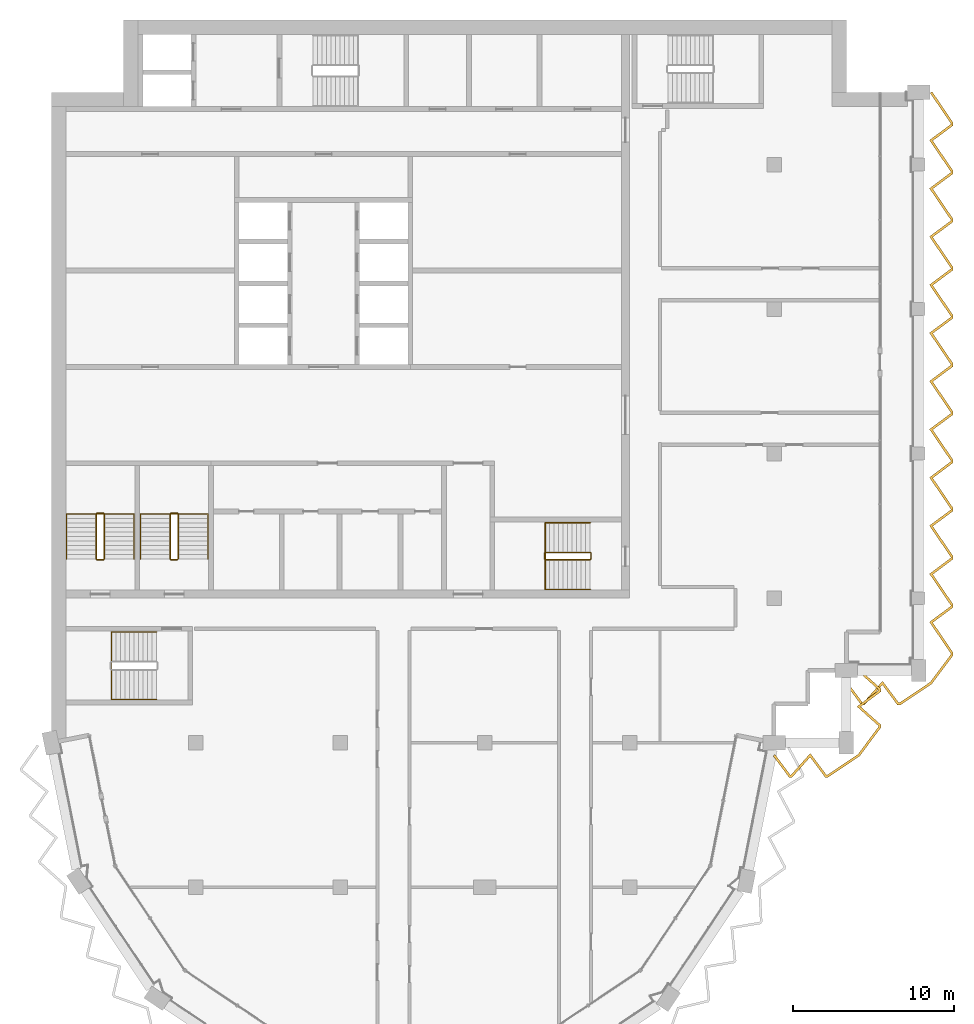
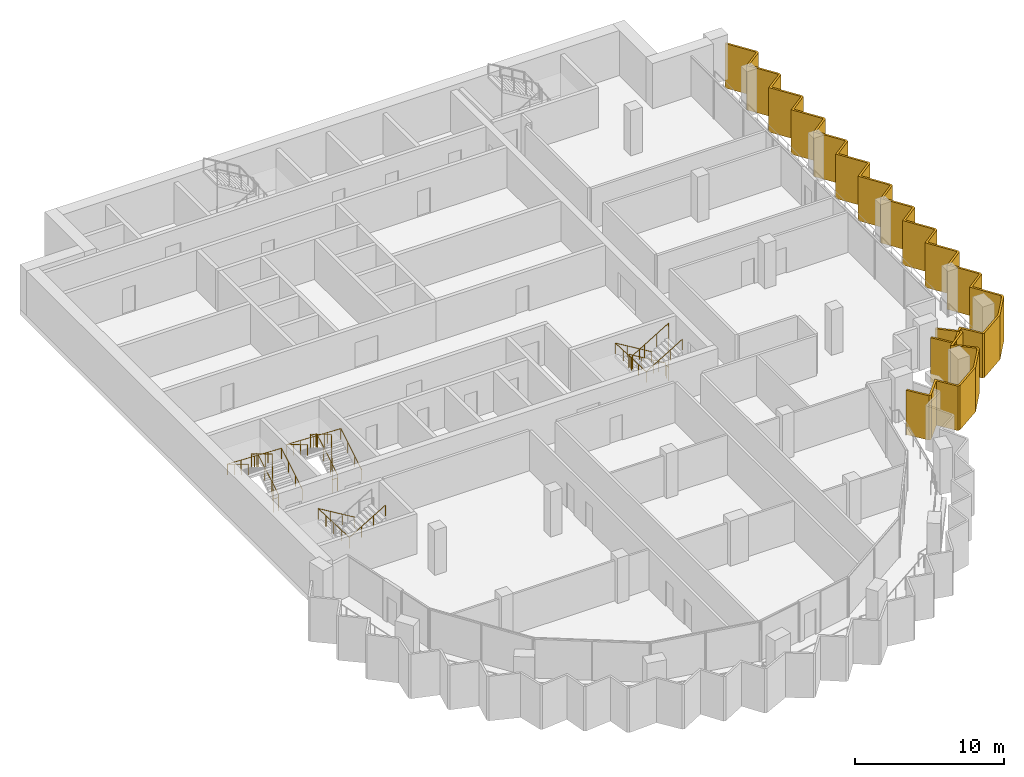
# One storey, part 13 of 14: 7 railings, 2 shading devices.
"""IFC4 building model written with IfcOpenShell, lengths in metres."""

from ifc_helpers import new_model, si_unit, direction, frame, origin, origin_2d, place, context, subcontext, project, spatial, polyline, circle, outline, extrude, material, layer, layer_set, type_object, element, save


model = new_model("IFC4")

# Units and contexts
model_context = context("Model", 3, precision=1e-05, world=origin(), true_north=direction((0.0, 1.0)))
body_context = subcontext(model_context, "Body", "Model", "MODEL_VIEW")
ifc_project = project(units=[si_unit("LENGTHUNIT", "METRE"), si_unit("AREAUNIT", "SQUARE_METRE"), si_unit("VOLUMEUNIT", "CUBIC_METRE"), si_unit("PLANEANGLEUNIT", "RADIAN"), si_unit("MASSUNIT", "GRAM", prefix="KILO")], contexts=[model_context])

# Site, building, storey
site_placement = place(None, origin())
site = spatial("IfcSite", under=ifc_project, at=site_placement, CompositionType="ELEMENT")
building_placement = place(site_placement, origin())
building = spatial("IfcBuilding", under=site, at=building_placement, Name="Hunhe Ridgeline Campus", CompositionType="ELEMENT")
storey_placement = place(building_placement, frame((0.0, 0.0, 288.199951171875)))
storey = spatial("IfcBuildingStorey", under=building, at=storey_placement, Name="L74", CompositionType="ELEMENT", Elevation=288.199951171875)

# Shading devices
ifc_material_1 = material(Name="Concrete C50", Category="concrete")
ifc_layer = layer(ifc_material_1, 0.14990234375)
ifc_layer_set = layer_set([ifc_layer], Name="Sawtooth concrete fin 150 Concrete C50")
shading_device_type = type_object("IfcShadingDeviceType", Name="Sawtooth concrete fin 150 Concrete C50", PredefinedType="USERDEFINED", material=ifc_layer_set)
shading_device_1_placement = place(storey_placement, frame((0.0, 0.0, -0.949951171875)))
element("IfcShadingDevice", 1, at=shading_device_1_placement, inside=storey, type_object=shading_device_type, Name="Concrete fin screen 2", ObjectType="FIN", PredefinedType="USERDEFINED", context=body_context, shape_type="SweptSolid", body=[
    extrude(outline(polyline([(45.06005859375, 53.269775390625), (44.93994140625, 53.18017578125), (45.930419921875, 51.85009765625), (46.12158203125, 51.85009765625), (47.24462890625, 53.1064453125), (48.180419921875, 51.85009765625), (48.36083984375, 51.85009765625), (50.327392578125, 53.169921875), (51.64990234375, 54.943115234375), (51.64990234375, 55.12158203125), (50.3935546875, 56.24462890625), (51.64990234375, 57.180419921875), (51.64990234375, 57.37158203125), (50.324951171875, 58.555908203125), (50.22509765625, 58.444091796875), (51.5, 57.304443359375), (51.5, 57.255859375), (50.156494140625, 56.25537109375), (51.5, 55.054443359375), (51.5, 54.992919921875), (50.22265625, 53.280029296875), (48.315185546875, 52.0), (48.255859375, 52.0), (47.25537109375, 53.343505859375), (46.054443359375, 52.0), (46.005859375, 52.0), (45.06005859375, 53.269775390625)])), origin(), (0.0, 0.0, 1.0), 3.64990234375),
])
shading_device_2_placement = place(storey_placement, frame((0.0, 0.0, -0.949951171875)))
element("IfcShadingDevice", 2, at=shading_device_2_placement, inside=storey, type_object=shading_device_type, Name="Concrete fin screen 3", ObjectType="FIN", PredefinedType="USERDEFINED", context=body_context, shape_type="SweptSolid", body=[
    extrude(outline(polyline([(49.56005859375, 57.769775390625), (49.43994140625, 57.68017578125), (50.430419921875, 56.35009765625), (50.62158203125, 56.35009765625), (51.74462890625, 57.6064453125), (52.680419921875, 56.35009765625), (52.86083984375, 56.35009765625), (54.827392578125, 57.669921875), (56.14990234375, 59.443115234375), (56.14990234375, 59.611083984375), (54.87744140625, 61.482666015625), (56.14990234375, 62.430419921875), (56.14990234375, 62.611083984375), (54.87744140625, 64.482666015625), (56.14990234375, 65.430419921875), (56.14990234375, 65.611083984375), (54.87744140625, 67.482666015625), (56.14990234375, 68.430419921875), (56.14990234375, 68.611083984375), (54.87744140625, 70.482666015625), (56.14990234375, 71.430419921875), (56.14990234375, 71.611083984375), (54.87744140625, 73.482666015625), (56.14990234375, 74.430419921875), (56.14990234375, 74.611083984375), (54.87744140625, 76.482666015625), (56.14990234375, 77.430419921875), (56.14990234375, 77.611083984375), (54.87744140625, 79.482666015625), (56.14990234375, 80.430419921875), (56.14990234375, 80.611083984375), (54.87744140625, 82.482666015625), (56.14990234375, 83.430419921875), (56.14990234375, 83.611083984375), (54.87744140625, 85.482666015625), (56.14990234375, 86.430419921875), (56.14990234375, 86.611083984375), (54.87744140625, 88.482666015625), (56.14990234375, 89.430419921875), (56.14990234375, 89.611083984375), (54.87744140625, 91.482666015625), (56.14990234375, 92.430419921875), (56.14990234375, 92.611083984375), (54.8369140625, 94.542236328125), (54.712890625, 94.457763671875), (56.0, 92.56494140625), (56.0, 92.505859375), (54.672607421875, 91.517333984375), (56.0, 89.56494140625), (56.0, 89.505859375), (54.672607421875, 88.517333984375), (56.0, 86.56494140625), (56.0, 86.505859375), (54.672607421875, 85.517333984375), (56.0, 83.56494140625), (56.0, 83.505859375), (54.672607421875, 82.517333984375), (56.0, 80.56494140625), (56.0, 80.505859375), (54.672607421875, 79.517333984375), (56.0, 77.56494140625), (56.0, 77.505859375), (54.672607421875, 76.517333984375), (56.0, 74.56494140625), (56.0, 74.505859375), (54.672607421875, 73.517333984375), (56.0, 71.56494140625), (56.0, 71.505859375), (54.672607421875, 70.517333984375), (56.0, 68.56494140625), (56.0, 68.505859375), (54.672607421875, 67.517333984375), (56.0, 65.56494140625), (56.0, 65.505859375), (54.672607421875, 64.517333984375), (56.0, 62.56494140625), (56.0, 62.505859375), (54.672607421875, 61.517333984375), (56.0, 59.56494140625), (56.0, 59.492919921875), (54.72265625, 57.780029296875), (52.815185546875, 56.5), (52.755859375, 56.5), (51.75537109375, 57.843505859375), (50.554443359375, 56.5), (50.505859375, 56.5), (49.56005859375, 57.769775390625)])), origin(), (0.0, 0.0, 1.0), 3.64990234375),
])

# Railings
ifc_material_2 = material(Name="Stainless steel balustrade", Category="steel")
railing_type_1 = type_object("IfcRailingType", Name="Stair guard 1100 stainless", PredefinedType="GUARDRAIL", material=ifc_material_2)
railing_1_placement = place(storey_placement, frame((33.550048828125, 65.85009765625, 0.168212890625)))
element("IfcRailing", 3, at=railing_1_placement, inside=storey, type_object=railing_type_1, Name="L74 stair S2 guard", PredefinedType="GUARDRAIL", context=body_context, shape_type="SweptSolid", body=[
    extrude(circle(Radius=0.02392578125, at=origin_2d()), frame((0.0, 0.0, 1.076171875), z_axis=(-0.857242210791, 0.0, 0.514913383045), x_axis=(0.0, -1.0, 0.0)), (0.0, 0.0, 1.0), 3.266357421875),
    extrude(circle(Radius=0.02392578125, at=origin_2d()), frame((-2.800048828125, 0.0, 2.7578125), z_axis=(-0.707106781187, -0.707106781187, 0.0), x_axis=(0.707106781187, -0.707106781187, 0.0)), (0.0, 0.0, 1.0), 0.07080078125),
    extrude(circle(Radius=0.02392578125, at=origin_2d()), frame((-2.85009765625, -0.050048828125, 2.7578125), z_axis=(0.0, -1.0, 0.0), x_axis=(1.0, 0.0, 0.0)), (0.0, 0.0, 1.0), 0.35009765625),
    extrude(circle(Radius=0.02392578125, at=origin_2d()), frame((-2.85009765625, -0.400146484375, 2.7578125), z_axis=(0.274243871929, -0.274243871929, 0.92172696468), x_axis=(0.707106781187, 0.707106781187, 0.0)), (0.0, 0.0, 1.0), 0.1826171875),
    extrude(circle(Radius=0.02392578125, at=origin_2d()), frame((-2.800048828125, -0.4501953125, 2.92626953125), z_axis=(0.857275202839, 0.0, 0.514858452973), x_axis=(0.0, 1.0, 0.0)), (0.0, 0.0, 1.0), 3.26611328125),
    extrude(circle(Radius=0.02392578125, at=origin_2d()), frame((0.0, -0.4501953125, 4.60791015625), z_axis=(0.013524414389, 0.013524414389, -0.999817073484), x_axis=(-0.707106781187, 0.707106781187, 0.0)), (0.0, 0.0, 1.0), 3.70068359375),
    extrude(circle(Radius=0.02392578125, at=origin_2d()), frame((0.050048828125, -0.400146484375, 0.90771484375), z_axis=(0.0, 1.0, 0.0), x_axis=(-1.0, 0.0, 0.0)), (0.0, 0.0, 1.0), 0.35009765625),
    extrude(circle(Radius=0.02099609375, at=origin_2d()), origin(), (0.0, 0.0, 1.0), 1.052001953125),
    extrude(circle(Radius=0.02099609375, at=origin_2d()), frame((-0.933349609375, 0.0, 0.560546875)), (0.0, 0.0, 1.0), 1.052001953125),
    extrude(circle(Radius=0.02099609375, at=origin_2d()), frame((-1.86669921875, 0.0, 1.121337890625)), (0.0, 0.0, 1.0), 1.052001953125),
    extrude(circle(Radius=0.02099609375, at=origin_2d()), frame((-2.800048828125, 0.0, 1.681884765625)), (0.0, 0.0, 1.0), 1.052001953125),
    extrude(circle(Radius=0.02099609375, at=origin_2d()), frame((-2.85009765625, -0.050048828125, 1.681884765625)), (0.0, 0.0, 1.0), 1.052001953125),
    extrude(circle(Radius=0.02099609375, at=origin_2d()), frame((-2.85009765625, -0.400146484375, 1.681884765625)), (0.0, 0.0, 1.0), 1.052001953125),
    extrude(circle(Radius=0.02099609375, at=origin_2d()), frame((-2.800048828125, -0.4501953125, 1.85009765625)), (0.0, 0.0, 1.0), 1.052001953125),
    extrude(circle(Radius=0.02099609375, at=origin_2d()), frame((-1.86669921875, -0.4501953125, 2.41064453125)), (0.0, 0.0, 1.0), 1.052001953125),
    extrude(circle(Radius=0.02099609375, at=origin_2d()), frame((-0.933349609375, -0.4501953125, 2.97119140625)), (0.0, 0.0, 1.0), 1.052001953125),
    extrude(circle(Radius=0.02099609375, at=origin_2d()), frame((0.0, -0.4501953125, 3.53173828125)), (0.0, 0.0, 1.0), 1.052001953125),
    extrude(circle(Radius=0.02099609375, at=origin_2d()), frame((0.012451171875, -0.437744140625, 2.606689453125)), (0.0, 0.0, 1.0), 1.052001953125),
    extrude(circle(Radius=0.02099609375, at=origin_2d()), frame((0.02490234375, -0.42529296875, 1.681640625)), (0.0, 0.0, 1.0), 1.052001953125),
    extrude(circle(Radius=0.02099609375, at=origin_2d()), frame((0.03759765625, -0.41259765625, 0.7568359375)), (0.0, 0.0, 1.0), 1.052001953125),
    extrude(circle(Radius=0.02099609375, at=origin_2d()), frame((0.050048828125, -0.400146484375, -0.168212890625)), (0.0, 0.0, 1.0), 1.052001953125),
    extrude(circle(Radius=0.02099609375, at=origin_2d()), frame((0.050048828125, -0.050048828125, -0.168212890625)), (0.0, 0.0, 1.0), 1.052001953125),
])
railing_2_placement = place(storey_placement, frame((3.300048828125, 65.449951171875, 0.168212890625)))
element("IfcRailing", 4, at=railing_2_placement, inside=storey, type_object=railing_type_1, Name="L74 stair S3 guard", PredefinedType="GUARDRAIL", context=body_context, shape_type="SweptSolid", body=[
    extrude(circle(Radius=0.02392578125, at=origin_2d()), frame((0.0, 0.0, 1.076171875), z_axis=(0.0, 0.857242210791, 0.514913383045), x_axis=(-1.0, 0.0, 0.0)), (0.0, 0.0, 1.0), 3.266357421875),
    extrude(circle(Radius=0.02392578125, at=origin_2d()), frame((0.0, 2.800048828125, 2.7578125), z_axis=(-0.707106781187, 0.707106781187, 0.0), x_axis=(-0.707106781187, -0.707106781187, 0.0)), (0.0, 0.0, 1.0), 0.07080078125),
    extrude(circle(Radius=0.02392578125, at=origin_2d()), frame((-0.050048828125, 2.85009765625, 2.7578125), z_axis=(-1.0, 0.0, 0.0), x_axis=(0.0, -1.0, 0.0)), (0.0, 0.0, 1.0), 0.39990234375),
    extrude(circle(Radius=0.02392578125, at=origin_2d()), frame((-0.449951171875, 2.85009765625, 2.7578125), z_axis=(-0.274243871929, -0.274243871929, 0.92172696468), x_axis=(0.707106781187, -0.707106781187, 0.0)), (0.0, 0.0, 1.0), 0.1826171875),
    extrude(circle(Radius=0.02392578125, at=origin_2d()), frame((-0.5, 2.800048828125, 2.92626953125), z_axis=(0.0, -0.857275202839, 0.514858452973), x_axis=(1.0, 0.0, 0.0)), (0.0, 0.0, 1.0), 3.26611328125),
    extrude(circle(Radius=0.02392578125, at=origin_2d()), frame((-0.5, 0.0, 4.60791015625), z_axis=(0.013524414389, -0.013524414389, -0.999817073484), x_axis=(0.707106781187, 0.707106781187, 0.0)), (0.0, 0.0, 1.0), 3.70068359375),
    extrude(circle(Radius=0.02392578125, at=origin_2d()), frame((-0.449951171875, -0.050048828125, 0.90771484375), z_axis=(1.0, 0.0, 0.0), x_axis=(0.0, 1.0, 0.0)), (0.0, 0.0, 1.0), 0.39990234375),
    extrude(circle(Radius=0.02099609375, at=origin_2d()), origin(), (0.0, 0.0, 1.0), 1.052001953125),
    extrude(circle(Radius=0.02099609375, at=origin_2d()), frame((0.0, 0.933349609375, 0.560546875)), (0.0, 0.0, 1.0), 1.052001953125),
    extrude(circle(Radius=0.02099609375, at=origin_2d()), frame((0.0, 1.86669921875, 1.121337890625)), (0.0, 0.0, 1.0), 1.052001953125),
    extrude(circle(Radius=0.02099609375, at=origin_2d()), frame((0.0, 2.800048828125, 1.681884765625)), (0.0, 0.0, 1.0), 1.052001953125),
    extrude(circle(Radius=0.02099609375, at=origin_2d()), frame((-0.050048828125, 2.85009765625, 1.681884765625)), (0.0, 0.0, 1.0), 1.052001953125),
    extrude(circle(Radius=0.02099609375, at=origin_2d()), frame((-0.449951171875, 2.85009765625, 1.681884765625)), (0.0, 0.0, 1.0), 1.052001953125),
    extrude(circle(Radius=0.02099609375, at=origin_2d()), frame((-0.5, 2.800048828125, 1.85009765625)), (0.0, 0.0, 1.0), 1.052001953125),
    extrude(circle(Radius=0.02099609375, at=origin_2d()), frame((-0.5, 1.86669921875, 2.41064453125)), (0.0, 0.0, 1.0), 1.052001953125),
    extrude(circle(Radius=0.02099609375, at=origin_2d()), frame((-0.5, 0.933349609375, 2.97119140625)), (0.0, 0.0, 1.0), 1.052001953125),
    extrude(circle(Radius=0.02099609375, at=origin_2d()), frame((-0.5, 0.0, 3.53173828125)), (0.0, 0.0, 1.0), 1.052001953125),
    extrude(circle(Radius=0.02099609375, at=origin_2d()), frame((-0.487548828125, -0.012451171875, 2.606689453125)), (0.0, 0.0, 1.0), 1.052001953125),
    extrude(circle(Radius=0.02099609375, at=origin_2d()), frame((-0.47509765625, -0.02490234375, 1.681640625)), (0.0, 0.0, 1.0), 1.052001953125),
    extrude(circle(Radius=0.02099609375, at=origin_2d()), frame((-0.46240234375, -0.03759765625, 0.7568359375)), (0.0, 0.0, 1.0), 1.052001953125),
    extrude(circle(Radius=0.02099609375, at=origin_2d()), frame((-0.449951171875, -0.050048828125, -0.168212890625)), (0.0, 0.0, 1.0), 1.052001953125),
    extrude(circle(Radius=0.02099609375, at=origin_2d()), frame((-0.050048828125, -0.050048828125, -0.168212890625)), (0.0, 0.0, 1.0), 1.052001953125),
])
railing_3_placement = place(storey_placement, frame((7.89990234375, 65.449951171875, 0.168212890625)))
element("IfcRailing", 5, at=railing_3_placement, inside=storey, type_object=railing_type_1, Name="L74 stair S4 guard", PredefinedType="GUARDRAIL", context=body_context, shape_type="SweptSolid", body=[
    extrude(circle(Radius=0.02392578125, at=origin_2d()), frame((0.0, 0.0, 1.076171875), z_axis=(0.0, 0.857242210791, 0.514913383045), x_axis=(-1.0, 0.0, 0.0)), (0.0, 0.0, 1.0), 3.266357421875),
    extrude(circle(Radius=0.02392578125, at=origin_2d()), frame((0.0, 2.800048828125, 2.7578125), z_axis=(-0.705375805398, 0.708833529934, 0.0), x_axis=(-0.708833529934, -0.705375805398, 0.0)), (0.0, 0.0, 1.0), 0.070556640625),
    extrude(circle(Radius=0.02392578125, at=origin_2d()), frame((-0.0498046875, 2.85009765625, 2.7578125), z_axis=(-1.0, 0.0, 0.0), x_axis=(0.0, -1.0, 0.0)), (0.0, 0.0, 1.0), 0.400146484375),
    extrude(circle(Radius=0.02392578125, at=origin_2d()), frame((-0.449951171875, 2.85009765625, 2.7578125), z_axis=(-0.274243871929, -0.274243871929, 0.92172696468), x_axis=(0.707106781187, -0.707106781187, 0.0)), (0.0, 0.0, 1.0), 0.1826171875),
    extrude(circle(Radius=0.02392578125, at=origin_2d()), frame((-0.5, 2.800048828125, 2.92626953125), z_axis=(0.0, -0.857275202839, 0.514858452973), x_axis=(1.0, 0.0, 0.0)), (0.0, 0.0, 1.0), 3.26611328125),
    extrude(circle(Radius=0.02392578125, at=origin_2d()), frame((-0.5, 0.0, 4.60791015625), z_axis=(0.013524414389, -0.013524414389, -0.999817073484), x_axis=(0.707106781187, 0.707106781187, 0.0)), (0.0, 0.0, 1.0), 3.70068359375),
    extrude(circle(Radius=0.02392578125, at=origin_2d()), frame((-0.449951171875, -0.050048828125, 0.90771484375), z_axis=(1.0, 0.0, 0.0), x_axis=(0.0, 1.0, 0.0)), (0.0, 0.0, 1.0), 0.400146484375),
    extrude(circle(Radius=0.02099609375, at=origin_2d()), origin(), (0.0, 0.0, 1.0), 1.052001953125),
    extrude(circle(Radius=0.02099609375, at=origin_2d()), frame((0.0, 0.933349609375, 0.560546875)), (0.0, 0.0, 1.0), 1.052001953125),
    extrude(circle(Radius=0.02099609375, at=origin_2d()), frame((0.0, 1.86669921875, 1.121337890625)), (0.0, 0.0, 1.0), 1.052001953125),
    extrude(circle(Radius=0.02099609375, at=origin_2d()), frame((0.0, 2.800048828125, 1.681884765625)), (0.0, 0.0, 1.0), 1.052001953125),
    extrude(circle(Radius=0.02099609375, at=origin_2d()), frame((-0.0498046875, 2.85009765625, 1.681884765625)), (0.0, 0.0, 1.0), 1.052001953125),
    extrude(circle(Radius=0.02099609375, at=origin_2d()), frame((-0.449951171875, 2.85009765625, 1.681884765625)), (0.0, 0.0, 1.0), 1.052001953125),
    extrude(circle(Radius=0.02099609375, at=origin_2d()), frame((-0.5, 2.800048828125, 1.85009765625)), (0.0, 0.0, 1.0), 1.052001953125),
    extrude(circle(Radius=0.02099609375, at=origin_2d()), frame((-0.5, 1.86669921875, 2.41064453125)), (0.0, 0.0, 1.0), 1.052001953125),
    extrude(circle(Radius=0.02099609375, at=origin_2d()), frame((-0.5, 0.933349609375, 2.97119140625)), (0.0, 0.0, 1.0), 1.052001953125),
    extrude(circle(Radius=0.02099609375, at=origin_2d()), frame((-0.5, 0.0, 3.53173828125)), (0.0, 0.0, 1.0), 1.052001953125),
    extrude(circle(Radius=0.02099609375, at=origin_2d()), frame((-0.487548828125, -0.012451171875, 2.606689453125)), (0.0, 0.0, 1.0), 1.052001953125),
    extrude(circle(Radius=0.02099609375, at=origin_2d()), frame((-0.47509765625, -0.02490234375, 1.681640625)), (0.0, 0.0, 1.0), 1.052001953125),
    extrude(circle(Radius=0.02099609375, at=origin_2d()), frame((-0.46240234375, -0.03759765625, 0.7568359375)), (0.0, 0.0, 1.0), 1.052001953125),
    extrude(circle(Radius=0.02099609375, at=origin_2d()), frame((-0.449951171875, -0.050048828125, -0.168212890625)), (0.0, 0.0, 1.0), 1.052001953125),
    extrude(circle(Radius=0.02099609375, at=origin_2d()), frame((-0.0498046875, -0.050048828125, -0.168212890625)), (0.0, 0.0, 1.0), 1.052001953125),
])
ifc_material_3 = material(Name="Stainless steel handrail", Category="steel")
railing_type_2 = type_object("IfcRailingType", Name="Stair handrail 900 stainless", PredefinedType="HANDRAIL", material=ifc_material_3)
railing_4_placement = place(storey_placement, frame((33.550048828125, 67.699951171875, 0.168212890625)))
element("IfcRailing", 6, at=railing_4_placement, inside=storey, type_object=railing_type_2, Name="L74 stair S2 handrail", PredefinedType="HANDRAIL", context=body_context, shape_type="SweptSolid", body=[
    extrude(circle(Radius=0.02392578125, at=origin_2d()), frame((0.0, 0.0, 0.8759765625), z_axis=(-0.857242210791, 0.0, 0.514913383045), x_axis=(0.0, -1.0, 0.0)), (0.0, 0.0, 1.0), 3.266357421875),
    extrude(circle(Radius=0.02392578125, at=origin_2d()), frame((-2.800048828125, 0.0, 2.5576171875), z_axis=(0.0, -0.99917950104, 0.040500922239), x_axis=(1.0, 0.0, 0.0)), (0.0, 0.0, 1.0), 4.1533203125),
    extrude(circle(Radius=0.02392578125, at=origin_2d()), frame((-2.800048828125, -4.14990234375, 2.72607421875), z_axis=(0.857275202839, 0.0, 0.514858452973), x_axis=(0.0, 1.0, 0.0)), (0.0, 0.0, 1.0), 3.26611328125),
    extrude(circle(Radius=0.02099609375, at=origin_2d()), origin(), (0.0, 0.0, 1.0), 0.851806640625),
    extrude(circle(Radius=0.02099609375, at=origin_2d()), frame((-0.933349609375, 0.0, 0.560546875)), (0.0, 0.0, 1.0), 0.851806640625),
    extrude(circle(Radius=0.02099609375, at=origin_2d()), frame((-1.86669921875, 0.0, 1.121337890625)), (0.0, 0.0, 1.0), 0.851806640625),
    extrude(circle(Radius=0.02099609375, at=origin_2d()), frame((-2.800048828125, 0.0, 1.681884765625)), (0.0, 0.0, 1.0), 0.851806640625),
    extrude(circle(Radius=0.02099609375, at=origin_2d()), frame((-2.800048828125, -1.03759765625, 1.723876953125)), (0.0, 0.0, 1.0), 0.851806640625),
    extrude(circle(Radius=0.02099609375, at=origin_2d()), frame((-2.800048828125, -2.074951171875, 1.76611328125)), (0.0, 0.0, 1.0), 0.851806640625),
    extrude(circle(Radius=0.02099609375, at=origin_2d()), frame((-2.800048828125, -3.1123046875, 1.80810546875)), (0.0, 0.0, 1.0), 0.851806640625),
    extrude(circle(Radius=0.02099609375, at=origin_2d()), frame((-2.800048828125, -4.14990234375, 1.85009765625)), (0.0, 0.0, 1.0), 0.851806640625),
    extrude(circle(Radius=0.02099609375, at=origin_2d()), frame((-1.86669921875, -4.14990234375, 2.41064453125)), (0.0, 0.0, 1.0), 0.851806640625),
    extrude(circle(Radius=0.02099609375, at=origin_2d()), frame((-0.933349609375, -4.14990234375, 2.97119140625)), (0.0, 0.0, 1.0), 0.851806640625),
    extrude(circle(Radius=0.02099609375, at=origin_2d()), frame((0.0, -4.14990234375, 3.53173828125)), (0.0, 0.0, 1.0), 0.851806640625),
])
railing_5_placement = place(storey_placement, frame((5.14990234375, 65.449951171875, 0.168212890625)))
element("IfcRailing", 7, at=railing_5_placement, inside=storey, type_object=railing_type_2, Name="L74 stair S3 handrail", PredefinedType="HANDRAIL", context=body_context, shape_type="SweptSolid", body=[
    extrude(circle(Radius=0.02392578125, at=origin_2d()), frame((0.0, 0.0, 0.8759765625), z_axis=(0.0, 0.857242210791, 0.514913383045), x_axis=(-1.0, 0.0, 0.0)), (0.0, 0.0, 1.0), 3.266357421875),
    extrude(circle(Radius=0.02392578125, at=origin_2d()), frame((0.0, 2.800048828125, 2.5576171875), z_axis=(-0.999198916169, 0.0, 0.040019069537), x_axis=(0.0, -1.0, 0.0)), (0.0, 0.0, 1.0), 4.203369140625),
    extrude(circle(Radius=0.02392578125, at=origin_2d()), frame((-4.199951171875, 2.800048828125, 2.72607421875), z_axis=(0.0, -0.857275202839, 0.514858452973), x_axis=(1.0, 0.0, 0.0)), (0.0, 0.0, 1.0), 3.26611328125),
    extrude(circle(Radius=0.02099609375, at=origin_2d()), origin(), (0.0, 0.0, 1.0), 0.851806640625),
    extrude(circle(Radius=0.02099609375, at=origin_2d()), frame((0.0, 0.933349609375, 0.560546875)), (0.0, 0.0, 1.0), 0.851806640625),
    extrude(circle(Radius=0.02099609375, at=origin_2d()), frame((0.0, 1.86669921875, 1.121337890625)), (0.0, 0.0, 1.0), 0.851806640625),
    extrude(circle(Radius=0.02099609375, at=origin_2d()), frame((0.0, 2.800048828125, 1.681884765625)), (0.0, 0.0, 1.0), 0.851806640625),
    extrude(circle(Radius=0.02099609375, at=origin_2d()), frame((-1.050048828125, 2.800048828125, 1.723876953125)), (0.0, 0.0, 1.0), 0.851806640625),
    extrude(circle(Radius=0.02099609375, at=origin_2d()), frame((-2.10009765625, 2.800048828125, 1.76611328125)), (0.0, 0.0, 1.0), 0.851806640625),
    extrude(circle(Radius=0.02099609375, at=origin_2d()), frame((-3.14990234375, 2.800048828125, 1.80810546875)), (0.0, 0.0, 1.0), 0.851806640625),
    extrude(circle(Radius=0.02099609375, at=origin_2d()), frame((-4.199951171875, 2.800048828125, 1.85009765625)), (0.0, 0.0, 1.0), 0.851806640625),
    extrude(circle(Radius=0.02099609375, at=origin_2d()), frame((-4.199951171875, 1.86669921875, 2.41064453125)), (0.0, 0.0, 1.0), 0.851806640625),
    extrude(circle(Radius=0.02099609375, at=origin_2d()), frame((-4.199951171875, 0.933349609375, 2.97119140625)), (0.0, 0.0, 1.0), 0.851806640625),
    extrude(circle(Radius=0.02099609375, at=origin_2d()), frame((-4.199951171875, 0.0, 3.53173828125)), (0.0, 0.0, 1.0), 0.851806640625),
])
railing_6_placement = place(storey_placement, frame((9.75, 65.449951171875, 0.168212890625)))
element("IfcRailing", 8, at=railing_6_placement, inside=storey, type_object=railing_type_2, Name="L74 stair S4 handrail", PredefinedType="HANDRAIL", context=body_context, shape_type="SweptSolid", body=[
    extrude(circle(Radius=0.02392578125, at=origin_2d()), frame((0.0, 0.0, 0.8759765625), z_axis=(0.0, 0.857242210791, 0.514913383045), x_axis=(-1.0, 0.0, 0.0)), (0.0, 0.0, 1.0), 3.266357421875),
    extrude(circle(Radius=0.02392578125, at=origin_2d()), frame((0.0, 2.800048828125, 2.5576171875), z_axis=(-0.999198916169, 0.0, 0.040019069537), x_axis=(0.0, -1.0, 0.0)), (0.0, 0.0, 1.0), 4.203369140625),
    extrude(circle(Radius=0.02392578125, at=origin_2d()), frame((-4.199951171875, 2.800048828125, 2.72607421875), z_axis=(0.0, -0.857275202839, 0.514858452973), x_axis=(1.0, 0.0, 0.0)), (0.0, 0.0, 1.0), 3.26611328125),
    extrude(circle(Radius=0.02099609375, at=origin_2d()), origin(), (0.0, 0.0, 1.0), 0.851806640625),
    extrude(circle(Radius=0.02099609375, at=origin_2d()), frame((0.0, 0.933349609375, 0.560546875)), (0.0, 0.0, 1.0), 0.851806640625),
    extrude(circle(Radius=0.02099609375, at=origin_2d()), frame((0.0, 1.86669921875, 1.121337890625)), (0.0, 0.0, 1.0), 0.851806640625),
    extrude(circle(Radius=0.02099609375, at=origin_2d()), frame((0.0, 2.800048828125, 1.681884765625)), (0.0, 0.0, 1.0), 0.851806640625),
    extrude(circle(Radius=0.02099609375, at=origin_2d()), frame((-1.050048828125, 2.800048828125, 1.723876953125)), (0.0, 0.0, 1.0), 0.851806640625),
    extrude(circle(Radius=0.02099609375, at=origin_2d()), frame((-2.10009765625, 2.800048828125, 1.76611328125)), (0.0, 0.0, 1.0), 0.851806640625),
    extrude(circle(Radius=0.02099609375, at=origin_2d()), frame((-3.14990234375, 2.800048828125, 1.80810546875)), (0.0, 0.0, 1.0), 0.851806640625),
    extrude(circle(Radius=0.02099609375, at=origin_2d()), frame((-4.199951171875, 2.800048828125, 1.85009765625)), (0.0, 0.0, 1.0), 0.851806640625),
    extrude(circle(Radius=0.02099609375, at=origin_2d()), frame((-4.199951171875, 1.86669921875, 2.41064453125)), (0.0, 0.0, 1.0), 0.851806640625),
    extrude(circle(Radius=0.02099609375, at=origin_2d()), frame((-4.199951171875, 0.933349609375, 2.97119140625)), (0.0, 0.0, 1.0), 0.851806640625),
    extrude(circle(Radius=0.02099609375, at=origin_2d()), frame((-4.199951171875, 0.0, 3.53173828125)), (0.0, 0.0, 1.0), 0.851806640625),
])
railing_7_placement = place(storey_placement, frame((6.550048828125, 60.89990234375, 0.168212890625)))
element("IfcRailing", 9, at=railing_7_placement, inside=storey, type_object=railing_type_2, Name="L74 stair W2 handrail", PredefinedType="HANDRAIL", context=body_context, shape_type="SweptSolid", body=[
    extrude(circle(Radius=0.02392578125, at=origin_2d()), frame((0.0, 0.0, 0.8759765625), z_axis=(-0.857242210791, 0.0, 0.514913383045), x_axis=(0.0, -1.0, 0.0)), (0.0, 0.0, 1.0), 3.266357421875),
    extrude(circle(Radius=0.02392578125, at=origin_2d()), frame((-2.800048828125, 0.0, 2.5576171875), z_axis=(0.0, -0.999198916169, 0.040019069537), x_axis=(1.0, 0.0, 0.0)), (0.0, 0.0, 1.0), 4.203369140625),
    extrude(circle(Radius=0.02392578125, at=origin_2d()), frame((-2.800048828125, -4.199951171875, 2.72607421875), z_axis=(0.857275202839, 0.0, 0.514858452973), x_axis=(0.0, 1.0, 0.0)), (0.0, 0.0, 1.0), 3.26611328125),
    extrude(circle(Radius=0.02099609375, at=origin_2d()), origin(), (0.0, 0.0, 1.0), 0.851806640625),
    extrude(circle(Radius=0.02099609375, at=origin_2d()), frame((-0.933349609375, 0.0, 0.560546875)), (0.0, 0.0, 1.0), 0.851806640625),
    extrude(circle(Radius=0.02099609375, at=origin_2d()), frame((-1.86669921875, 0.0, 1.121337890625)), (0.0, 0.0, 1.0), 0.851806640625),
    extrude(circle(Radius=0.02099609375, at=origin_2d()), frame((-2.800048828125, 0.0, 1.681884765625)), (0.0, 0.0, 1.0), 0.851806640625),
    extrude(circle(Radius=0.02099609375, at=origin_2d()), frame((-2.800048828125, -1.050048828125, 1.723876953125)), (0.0, 0.0, 1.0), 0.851806640625),
    extrude(circle(Radius=0.02099609375, at=origin_2d()), frame((-2.800048828125, -2.10009765625, 1.76611328125)), (0.0, 0.0, 1.0), 0.851806640625),
    extrude(circle(Radius=0.02099609375, at=origin_2d()), frame((-2.800048828125, -3.14990234375, 1.80810546875)), (0.0, 0.0, 1.0), 0.851806640625),
    extrude(circle(Radius=0.02099609375, at=origin_2d()), frame((-2.800048828125, -4.199951171875, 1.85009765625)), (0.0, 0.0, 1.0), 0.851806640625),
    extrude(circle(Radius=0.02099609375, at=origin_2d()), frame((-1.86669921875, -4.199951171875, 2.41064453125)), (0.0, 0.0, 1.0), 0.851806640625),
    extrude(circle(Radius=0.02099609375, at=origin_2d()), frame((-0.933349609375, -4.199951171875, 2.97119140625)), (0.0, 0.0, 1.0), 0.851806640625),
    extrude(circle(Radius=0.02099609375, at=origin_2d()), frame((0.0, -4.199951171875, 3.53173828125)), (0.0, 0.0, 1.0), 0.851806640625),
])

save(model, "model.ifc")
